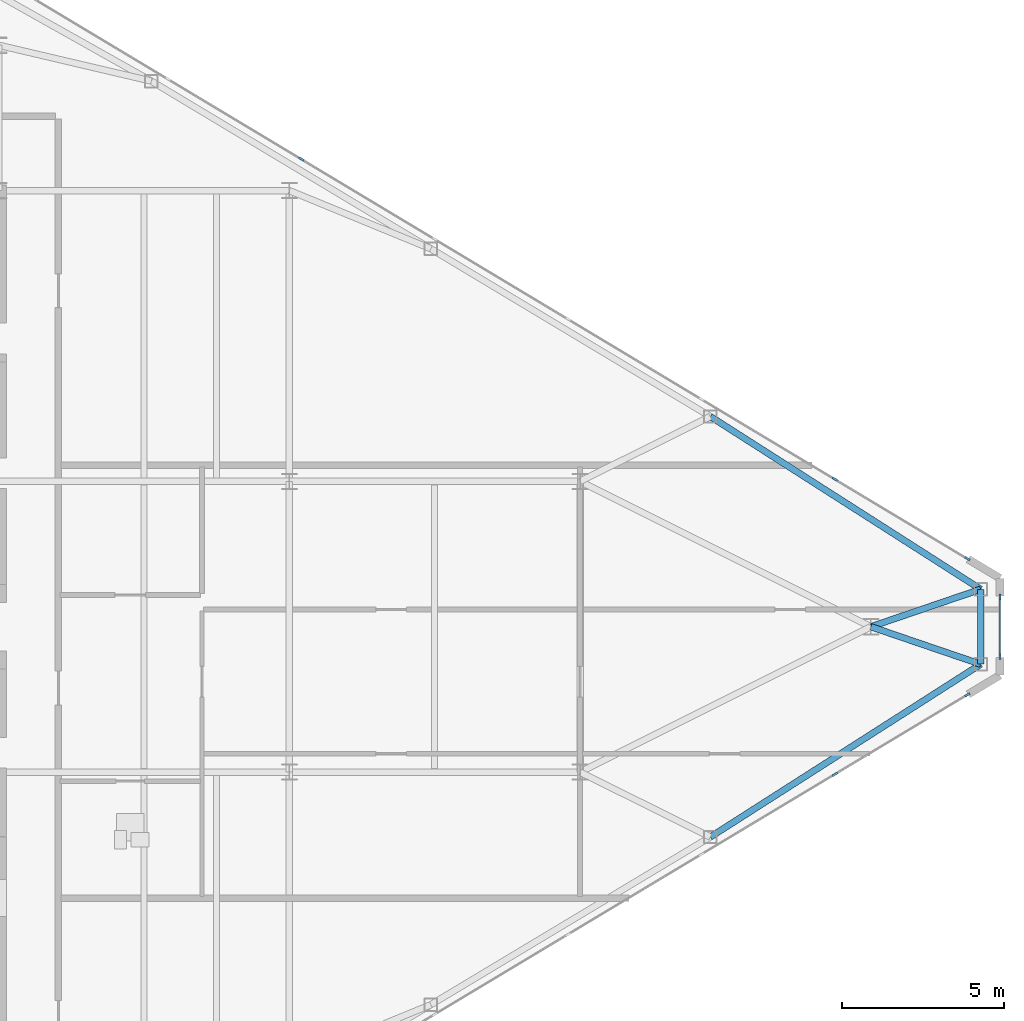
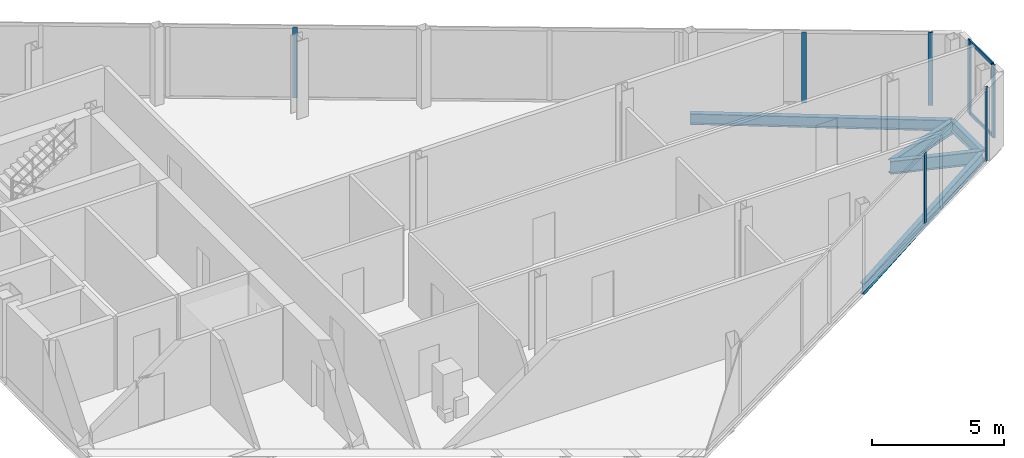
# One storey, part 17 of 25: 9 members, 5 beams, 3 elements without a shape of their own.
"""IFC4 building model written with IfcOpenShell, lengths in metres."""

from ifc_helpers import new_model, si_unit, direction, frame, origin, origin_2d, place, context, subcontext, project, spatial, rectangle, i_section, extrude, source, transform, mapped, material, layer, layer_set, material_profile, profile_set, type_object, type_shapes, element, aggregate, save


model = new_model("IFC4")

# Units and contexts
model_context = context("Model", 3, precision=1e-05, world=origin(), true_north=direction((0.0, 1.0)))
body_context = subcontext(model_context, "Body", "Model", "MODEL_VIEW")
ifc_project = project(units=[si_unit("LENGTHUNIT", "METRE"), si_unit("AREAUNIT", "SQUARE_METRE"), si_unit("VOLUMEUNIT", "CUBIC_METRE"), si_unit("PLANEANGLEUNIT", "RADIAN"), si_unit("MASSUNIT", "GRAM", prefix="KILO")], contexts=[model_context])

# Site, building, storey
site_placement = place(None, origin())
site = spatial("IfcSite", under=ifc_project, at=site_placement, CompositionType="ELEMENT")
building_placement = place(site_placement, origin())
building = spatial("IfcBuilding", under=site, at=building_placement, Name="Seokmaru Belvedere", CompositionType="ELEMENT")
storey_placement = place(building_placement, frame((0.0, 0.0, 217.5)))
storey = spatial("IfcBuildingStorey", under=building, at=storey_placement, Name="L58", CompositionType="ELEMENT", Elevation=217.5)

# Beams
ifc_material_1 = material(Name="Steel SM355 (355 MPa)", Category="steel")
ifc_material_profile_1 = material_profile(ifc_material_1, i_section(OverallWidth=0.199951171875, OverallDepth=0.5, WebThickness=0.010009765625, FlangeThickness=0.01611328125, at=origin_2d()), Name="H-500x200x10x16")
ifc_profile_set_1 = profile_set([ifc_material_profile_1], Name="Steel SM355 (355 MPa)")
beam_type_1 = type_object("IfcBeamType", Name="Perimeter Spandrel Beam H-500", PredefinedType="SPANDREL", material=ifc_profile_set_1)
shared_shape_1 = source(origin(), body_context, "Body", "SweptSolid", [
    extrude(i_section(OverallWidth=0.199951171875, OverallDepth=0.5, WebThickness=0.010009765625, FlangeThickness=0.01611328125, at=origin_2d()), origin(), (0.0, 0.0, 1.0), 9.932861328125),
])
for number, where, z_axis, x_axis, name in (
    (1, (58.530029296875, -6.5087890625, -0.469970703125), (0.842651960357, 0.538458609093, 0.0), (-0.538458609093, 0.842651960357, 0.0), "L58 E Faceted Flank Spandrel S-4"),
    (2, (58.530029296875, 6.5087890625, -0.469970703125), (0.842651960357, -0.538458609093, 0.0), (0.538458609093, 0.842651960357, 0.0), "L58 E Faceted Flank Spandrel N-4"),
):
    element("IfcBeam", number, at=place(storey_placement, frame(where, z_axis=z_axis, x_axis=x_axis)), inside=storey, type_object=beam_type_1, Name=name, PredefinedType="SPANDREL", context=body_context, shape_type="MappedRepresentation", body=[
        mapped(shared_shape_1, transform((0.0, 0.0, 0.0), scale=1.0)),
    ])
shared_shape_2 = source(origin(), body_context, "Body", "SweptSolid", [
    extrude(i_section(OverallWidth=0.199951171875, OverallDepth=0.5, WebThickness=0.010009765625, FlangeThickness=0.01611328125, at=origin_2d()), origin(), (0.0, 0.0, 1.0), 2.32080078125),
])
type_shapes(beam_type_1, [shared_shape_1, shared_shape_2])
beam_placement = place(storey_placement, frame((66.89990234375, -1.160400390625, -0.469970703125), z_axis=(0.0, 1.0, 0.0), x_axis=(-1.0, 0.0, 0.0)))
element("IfcBeam", 3, at=beam_placement, inside=storey, type_object=beam_type_1, Name="L58 E Faceted Apex Spandrel", PredefinedType="SPANDREL", context=body_context, shape_type="MappedRepresentation", body=[
    mapped(shared_shape_2, transform((0.0, 0.0, 0.0), scale=1.0)),
])
ifc_material_profile_2 = material_profile(ifc_material_1, i_section(OverallWidth=0.199951171875, OverallDepth=0.60009765625, WebThickness=0.010986328125, FlangeThickness=0.01708984375, at=origin_2d()), Name="H-600x200x11x17")
ifc_profile_set_2 = profile_set([ifc_material_profile_2], Name="Steel SM355 (355 MPa)")
beam_type_2 = type_object("IfcBeamType", Name="Primary Floor Girder H-600", PredefinedType="BEAM", material=ifc_profile_set_2)
shared_shape_3 = source(origin(), body_context, "Body", "SweptSolid", [
    extrude(i_section(OverallWidth=0.199951171875, OverallDepth=0.60009765625, WebThickness=0.010986328125, FlangeThickness=0.01708984375, at=origin_2d()), origin(), (0.0, 0.0, 1.0), 3.592529296875),
])
type_shapes(beam_type_2, [shared_shape_3])
for number, where, z_axis, x_axis, name in (
    (4, (66.89990234375, -1.160400390625, -0.52001953125), (-0.946395973048, 0.323008764893, 0.0), (-0.323008764893, -0.946395973048, 0.0), "L58 E Apex Radial Floor Girder 1"),
    (5, (66.89990234375, 1.160400390625, -0.52001953125), (-0.946395973048, -0.323008764893, 0.0), (0.323008764893, -0.946395973048, 0.0), "L58 E Apex Radial Floor Girder 2"),
):
    element("IfcBeam", number, at=place(storey_placement, frame(where, z_axis=z_axis, x_axis=x_axis)), inside=storey, type_object=beam_type_2, Name=name, PredefinedType="BEAM", context=body_context, shape_type="MappedRepresentation", body=[
        mapped(shared_shape_3, transform((0.0, 0.0, 0.0), scale=1.0)),
    ])

# Curtain wall, member
ifc_material_2 = material(Name="Bronze Triple Insulating Glass", Category="glass")
ifc_layer = layer(ifc_material_2, 0.179931640625)
ifc_layer_set = layer_set([ifc_layer], Name="Bronze Triple Insulating Glass")
curtain_wall_type = type_object("IfcCurtainWallType", Name="High-Rise Wind-Corner Curtain Wall System CW-5", PredefinedType="NOTDEFINED", material=ifc_layer_set)
curtain_wall_1_placement = place(storey_placement, origin())
curtain_wall_1 = element("IfcCurtainWall", 6, at=curtain_wall_1_placement, inside=storey, type_object=curtain_wall_type, Name="L58 Curtain Wall EF1", PredefinedType="NOTDEFINED")
ifc_material_3 = material(Name="Anodised Bronze Aluminium", Category="aluminium")
ifc_material_profile_3 = material_profile(ifc_material_3, rectangle(XDim=0.06494140625, YDim=0.179931640625, at=origin_2d()), Name="CW-M-65x180")
ifc_profile_set_3 = profile_set([ifc_material_profile_3], Name="Anodised Bronze Aluminium")
member_type_1 = type_object("IfcMemberType", Name="Bronze Unitised Mullion 65x180", PredefinedType="MULLION", material=ifc_profile_set_3)
shared_shape_4 = source(origin(), body_context, "Body", "SweptSolid", [
    extrude(rectangle(XDim=0.06494140625, YDim=0.179931640625, at=origin_2d()), origin(), (0.0, 0.0, 1.0), 3.3798828125),
])
member_1_placement = place(storey_placement, frame((66.486083984375, -2.1083984375, 0.0), z_axis=(0.0, 0.0, 1.0), x_axis=(-0.514494909364, 0.85749343335, 0.0)))
member_1 = element("IfcMember", 7, at=member_1_placement, type_object=member_type_1, Name="CW:L58:EF1 Mullion 9", PredefinedType="MULLION", context=body_context, shape_type="MappedRepresentation", body=[
    mapped(shared_shape_4, transform((0.0, 0.0, 0.0), scale=1.0)),
])

# Curtain wall, members
curtain_wall_2_placement = place(storey_placement, origin())
curtain_wall_2 = element("IfcCurtainWall", 8, at=curtain_wall_2_placement, inside=storey, type_object=curtain_wall_type, Name="L58 Curtain Wall EF2", PredefinedType="NOTDEFINED")
member_2_placement = place(storey_placement, frame((67.5, -0.91748046875, 0.0), z_axis=(0.0, 0.0, 1.0), x_axis=(-1.0, 0.0, 0.0)))
member_2 = element("IfcMember", 9, at=member_2_placement, type_object=member_type_1, Name="CW:L58:EF2 Mullion 1", PredefinedType="MULLION", context=body_context, shape_type="MappedRepresentation", body=[
    mapped(shared_shape_4, transform((0.0, 0.0, 0.0), scale=1.0)),
])
member_3_placement = place(storey_placement, frame((67.5, 0.91748046875, 0.0), z_axis=(0.0, 0.0, 1.0), x_axis=(-1.0, 0.0, 0.0)))
member_3 = element("IfcMember", 10, at=member_3_placement, type_object=member_type_1, Name="CW:L58:EF2 Mullion 2", PredefinedType="MULLION", context=body_context, shape_type="MappedRepresentation", body=[
    mapped(shared_shape_4, transform((0.0, 0.0, 0.0), scale=1.0)),
])

# Curtain wall, member
curtain_wall_3_placement = place(storey_placement, origin())
curtain_wall_3 = element("IfcCurtainWall", 11, at=curtain_wall_3_placement, inside=storey, type_object=curtain_wall_type, Name="L58 Curtain Wall EF3", PredefinedType="NOTDEFINED")
member_4_placement = place(storey_placement, frame((66.486083984375, 2.1083984375, 0.0), z_axis=(0.0, 0.0, 1.0), x_axis=(-0.514494909364, -0.85749343335, 0.0)))
member_4 = element("IfcMember", 12, at=member_4_placement, type_object=member_type_1, Name="CW:L58:EF3 Mullion 1", PredefinedType="MULLION", context=body_context, shape_type="MappedRepresentation", body=[
    mapped(shared_shape_4, transform((0.0, 0.0, 0.0), scale=1.0)),
])

# Member
shared_shape_5 = source(origin(), body_context, "Body", "SweptSolid", [
    extrude(rectangle(XDim=0.06494140625, YDim=0.179931640625, at=origin_2d()), origin(), (0.0, 0.0, 1.0), 3.25),
])
type_shapes(member_type_1, [shared_shape_4, shared_shape_5])
member_5_placement = place(storey_placement, frame((62.385498046875, -4.56884765625, 0.06494140625), z_axis=(0.0, 0.0, 1.0), x_axis=(-0.514494909364, 0.85749343335, 0.0)))
member_5 = element("IfcMember", 13, at=member_5_placement, type_object=member_type_1, Name="CW:L58:EF1 Mullion 8", PredefinedType="MULLION", context=body_context, shape_type="MappedRepresentation", body=[
    mapped(shared_shape_5, transform((0.0, 0.0, 0.0), scale=1.0)),
])

aggregate(curtain_wall_1, [member_5, member_1])

member_6_placement = place(storey_placement, frame((62.385498046875, 4.56884765625, 0.06494140625), z_axis=(0.0, 0.0, 1.0), x_axis=(-0.514494909364, -0.85749343335, 0.0)))
member_6 = element("IfcMember", 14, at=member_6_placement, type_object=member_type_1, Name="CW:L58:EF3 Mullion 2", PredefinedType="MULLION", context=body_context, shape_type="MappedRepresentation", body=[
    mapped(shared_shape_5, transform((0.0, 0.0, 0.0), scale=1.0)),
])

member_7_placement = place(storey_placement, frame((45.87158203125, 14.47705078125, 0.06494140625), z_axis=(0.0, 0.0, 1.0), x_axis=(-0.514494909364, -0.85749343335, 0.0)))
member_7 = element("IfcMember", 15, at=member_7_placement, type_object=member_type_1, Name="CW:L58:EF3 Mullion 6", PredefinedType="MULLION", context=body_context, shape_type="MappedRepresentation", body=[
    mapped(shared_shape_5, transform((0.0, 0.0, 0.0), scale=1.0)),
])

aggregate(curtain_wall_3, [member_4, member_6, member_7])

ifc_material_profile_4 = material_profile(ifc_material_3, rectangle(XDim=0.06494140625, YDim=0.14990234375, at=origin_2d()), Name="CW-T-65x150")
ifc_profile_set_4 = profile_set([ifc_material_profile_4], Name="Anodised Bronze Aluminium")
member_type_2 = type_object("IfcMemberType", Name="Bronze Unitised Transom 65x150", PredefinedType="USERDEFINED", material=ifc_profile_set_4)
shared_shape_6 = source(origin(), body_context, "Body", "SweptSolid", [
    extrude(rectangle(XDim=0.06494140625, YDim=0.14990234375, at=origin_2d()), origin(), (0.0, 0.0, 1.0), 1.77001953125),
])
type_shapes(member_type_2, [shared_shape_6])
member_8_placement = place(storey_placement, frame((67.5, -0.885009765625, 0.032470703125), z_axis=(0.0, 1.0, 0.0), x_axis=(-1.0, 0.0, 0.0)))
member_8 = element("IfcMember", 16, at=member_8_placement, type_object=member_type_2, Name="CW:L58:EF2 Continuous Transom 1", ObjectType="TRANSOM", PredefinedType="USERDEFINED", context=body_context, shape_type="MappedRepresentation", body=[
    mapped(shared_shape_6, transform((0.0, 0.0, 0.0), scale=1.0)),
])

member_9_placement = place(storey_placement, frame((67.5, -0.885009765625, 3.347412109375), z_axis=(0.0, 1.0, 0.0), x_axis=(-1.0, 0.0, 0.0)))
member_9 = element("IfcMember", 17, at=member_9_placement, type_object=member_type_2, Name="CW:L58:EF2 Continuous Transom 2", ObjectType="TRANSOM", PredefinedType="USERDEFINED", context=body_context, shape_type="MappedRepresentation", body=[
    mapped(shared_shape_6, transform((0.0, 0.0, 0.0), scale=1.0)),
])

aggregate(curtain_wall_2, [member_2, member_3, member_8, member_9])

save(model, "model.ifc")
